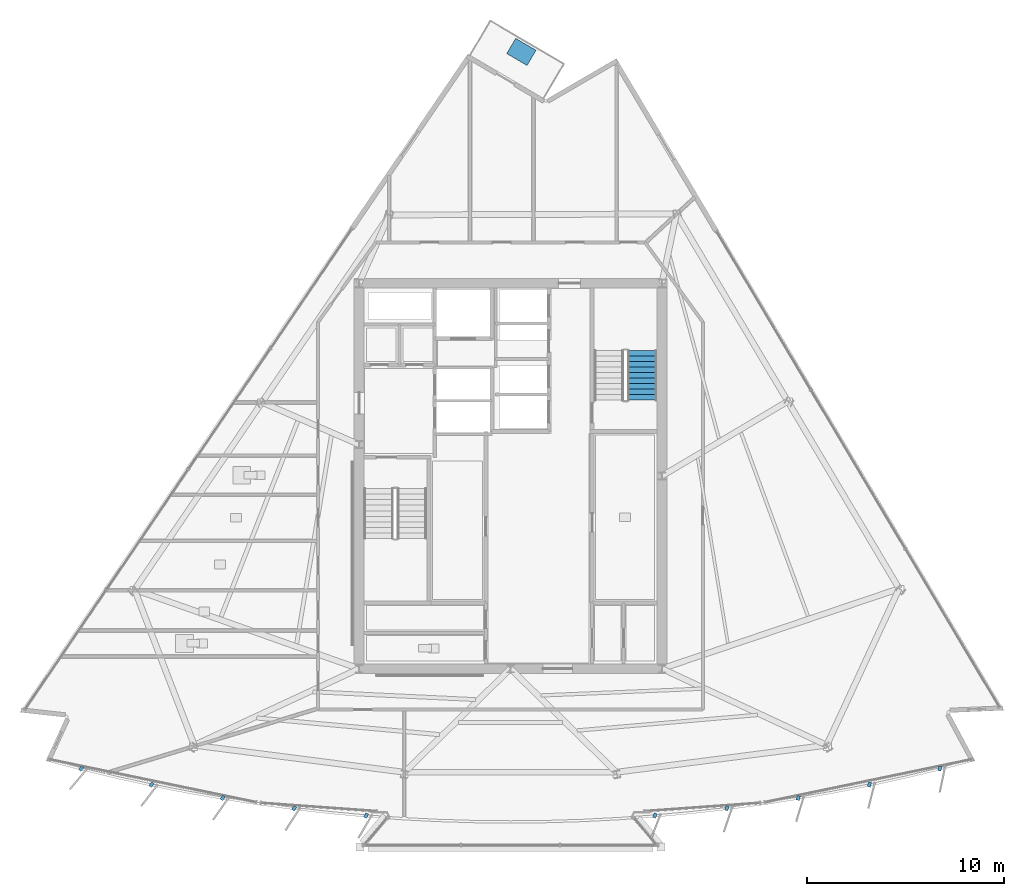
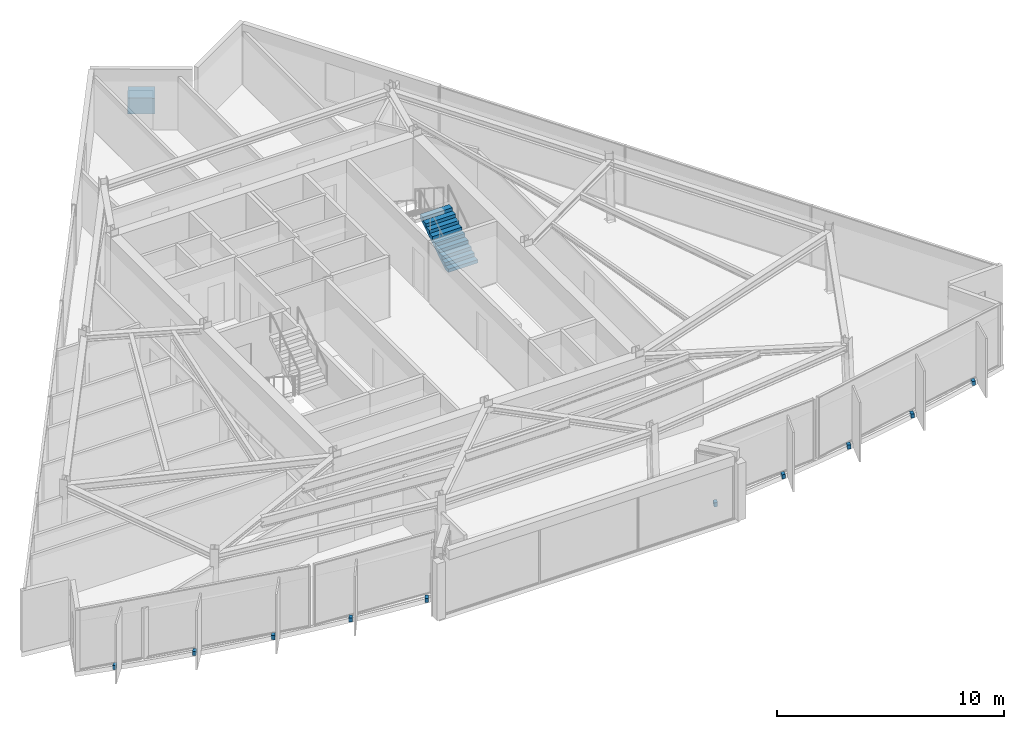
# One storey, part 10 of 14: 11 discrete accessories, 1 stair flight, 1 element without a shape of its own.
"""IFC4 building model written with IfcOpenShell, lengths in metres."""

from ifc_helpers import new_model, si_unit, direction, frame, origin, origin_2d, place, context, subcontext, project, spatial, polyline, rectangle, outline, extrude, material, type_object, element, aggregate, save


model = new_model("IFC4")

# Units and contexts
model_context = context("Model", 3, precision=1e-05, world=origin(), true_north=direction((0.0, 1.0)))
body_context = subcontext(model_context, "Body", "Model", "MODEL_VIEW")
ifc_project = project(units=[si_unit("LENGTHUNIT", "METRE"), si_unit("AREAUNIT", "SQUARE_METRE"), si_unit("VOLUMEUNIT", "CUBIC_METRE"), si_unit("PLANEANGLEUNIT", "RADIAN"), si_unit("MASSUNIT", "GRAM", prefix="KILO")], contexts=[model_context])

# Site, building, storey
site_placement = place(None, origin())
site = spatial("IfcSite", under=ifc_project, at=site_placement, CompositionType="ELEMENT")
building_placement = place(site_placement, origin())
building = spatial("IfcBuilding", under=site, at=building_placement, Name="Savorim Split Tower", CompositionType="ELEMENT")
storey_placement = place(building_placement, frame((0.0, 0.0, 237.89990234375)))
storey = spatial("IfcBuildingStorey", under=building, at=storey_placement, Name="L63", CompositionType="ELEMENT", Elevation=237.89990234375)

# Stair, stair flight
ifc_material_1 = material(Name="Concrete C50/60", Category="concrete")
stair_type = type_object("IfcStairType", Name="STR-DOG-3600", PredefinedType="HALF_TURN_STAIR", material=ifc_material_1)
stair_placement = place(storey_placement, origin())
stair = element("IfcStair", 1, at=stair_placement, inside=storey, type_object=stair_type, Name="L63 Core Protected Exit Stair ST-2", PredefinedType="HALF_TURN_STAIR")
stair_flight_type = type_object("IfcStairFlightType", Name="SFL-DOG-3600", PredefinedType="STRAIGHT", material=ifc_material_1)
stair_flight_placement = place(storey_placement, frame((6.699951171875, 4.25, 0.0), z_axis=(0.0, 0.0, 1.0), x_axis=(0.0, 1.0, 0.0)))
stair_flight = element("IfcStairFlight", 2, at=stair_flight_placement, type_object=stair_flight_type, Name="ST-2 flight 1", NumberOfRisers=10, NumberOfTreads=9, PredefinedType="STRAIGHT", RiserHeight=0.18, TreadLength=0.28, context=body_context, shape_type="SweptSolid", body=[
    extrude(outline(polyline([(0.0, 0.0), (0.0, 0.179931640625), (0.280029296875, 0.179931640625), (0.280029296875, 0.360107421875), (0.56005859375, 0.360107421875), (0.56005859375, 0.5400390625), (0.840087890625, 0.5400390625), (0.840087890625, 0.719970703125), (1.1201171875, 0.719970703125), (1.1201171875, 0.89990234375), (1.39990234375, 0.89990234375), (1.39990234375, 1.080078125), (1.679931640625, 1.080078125), (1.679931640625, 1.260009765625), (1.9599609375, 1.260009765625), (1.9599609375, 1.43994140625), (2.239990234375, 1.43994140625), (2.239990234375, 1.6201171875), (2.52001953125, 1.6201171875), (2.52001953125, 1.800048828125), (2.52001953125, 1.44189453125), (0.277099609375, 0.0), (0.0, 0.0)])), frame((0.0, 0.75, 0.0), z_axis=(0.0, -1.0, 0.0), x_axis=(1.0, 0.0, 0.0)), (0.0, 0.0, 1.0), 1.5),
])
aggregate(stair, [stair_flight])

# Discrete accessories
ifc_material_2 = material(Name="Steel S355", Category="steel")
discrete_accessory_type_1 = type_object("IfcDiscreteAccessoryType", Name="ACC-BRK-FIN", PredefinedType="BRACKET", material=ifc_material_2)
for number, where, z_axis, x_axis, name in (
    (3, (-21.830078125, -14.47900390625, -0.18994140625), (0.0, 0.0, 1.0), (-0.643719022682, -0.765261928909, 0.0), "L63 Fin Slab-Edge Cleat Bracket 01"),
    (4, (-18.247802734375, -15.29931640625, -0.18994140625), (0.0, 0.0, 1.0), (-0.611868076908, -0.790959832394, 0.0), "L63 Fin Slab-Edge Cleat Bracket 02"),
    (5, (-14.635009765625, -15.97216796875, -0.18994140625), (0.0, 0.0, 1.0), (-0.578993757737, -0.815331974414, 0.0), "L63 Fin Slab-Edge Cleat Bracket 03"),
    (6, (-10.997802734375, -16.496826171875, -0.18994140625), (0.0, 0.0, 1.0), (-0.545148321708, -0.838339613366, 0.0), "L63 Fin Slab-Edge Cleat Bracket 04"),
    (7, (-7.342041015625, -16.8720703125, -0.18994140625), (0.0, 0.0, 1.0), (-0.510391336723, -0.859942255851, 0.0), "L63 Fin Slab-Edge Cleat Bracket 05"),
    (8, (7.342041015625, -16.8720703125, -0.18994140625), (0.0, 0.0, 1.0), (-0.363415461732, -0.931627179817, 0.0), "L63 Fin Slab-Edge Cleat Bracket 09"),
    (9, (10.997802734375, -16.496826171875, -0.18994140625), (0.0, 0.0, 1.0), (-0.324993810493, -0.945716143005, 0.0), "L63 Fin Slab-Edge Cleat Bracket 10"),
    (10, (14.635009765625, -15.97216796875, -0.18994140625), (0.0, 0.0, 1.0), (-0.286026212504, -0.958221793616, 0.0), "L63 Fin Slab-Edge Cleat Bracket 11"),
    (11, (18.247802734375, -15.29931640625, -0.18994140625), (0.0, 0.0, 1.0), (-0.246581250663, -0.969122121727, 0.0), "L63 Fin Slab-Edge Cleat Bracket 12"),
    (12, (21.830078125, -14.47900390625, -0.18994140625), (0.0, 0.0, 1.0), (-0.206721626106, -0.978399800337, 0.0), "L63 Fin Slab-Edge Cleat Bracket 13"),
):
    element("IfcDiscreteAccessory", number, at=place(storey_placement, frame(where, z_axis=z_axis, x_axis=x_axis)), inside=storey, type_object=discrete_accessory_type_1, Name=name, PredefinedType="BRACKET", context=body_context, shape_type="SweptSolid", body=[
        extrude(rectangle(XDim=0.239990234375, YDim=0.159912109375, at=origin_2d()), origin(), (0.0, 0.0, 1.0), 0.219970703125),
    ])
ifc_material_3 = material(Name="Architectural Precast Planter Concrete C40/50", Category="concrete")
discrete_accessory_type_2 = type_object("IfcDiscreteAccessoryType", Name="ACC-PLN-TREE", PredefinedType="USERDEFINED", material=ifc_material_3)
discrete_accessory_placement = place(storey_placement, frame((0.55419921875, 21.95947265625, 0.0), z_axis=(0.0, 0.0, 1.0), x_axis=(-0.862123040175, 0.506698987171, 0.0)))
element("IfcDiscreteAccessory", 13, at=discrete_accessory_placement, inside=storey, type_object=discrete_accessory_type_2, Name="L63 Balcony Precast Tree Planter N", ObjectType="PLANTER", PredefinedType="USERDEFINED", context=body_context, shape_type="SweptSolid", body=[
    extrude(rectangle(XDim=1.199951171875, YDim=0.89990234375, at=origin_2d()), origin(), (0.0, 0.0, 1.0), 0.85009765625),
])

save(model, "model.ifc")
